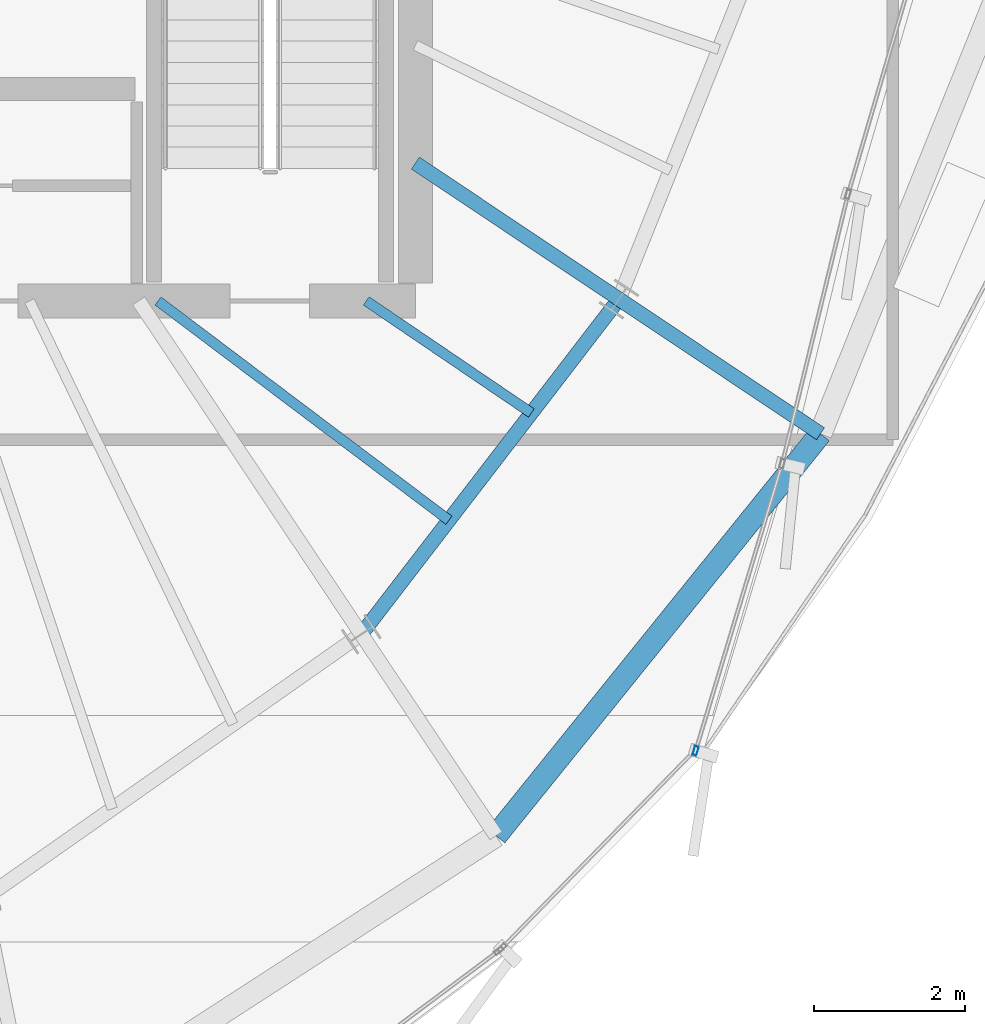
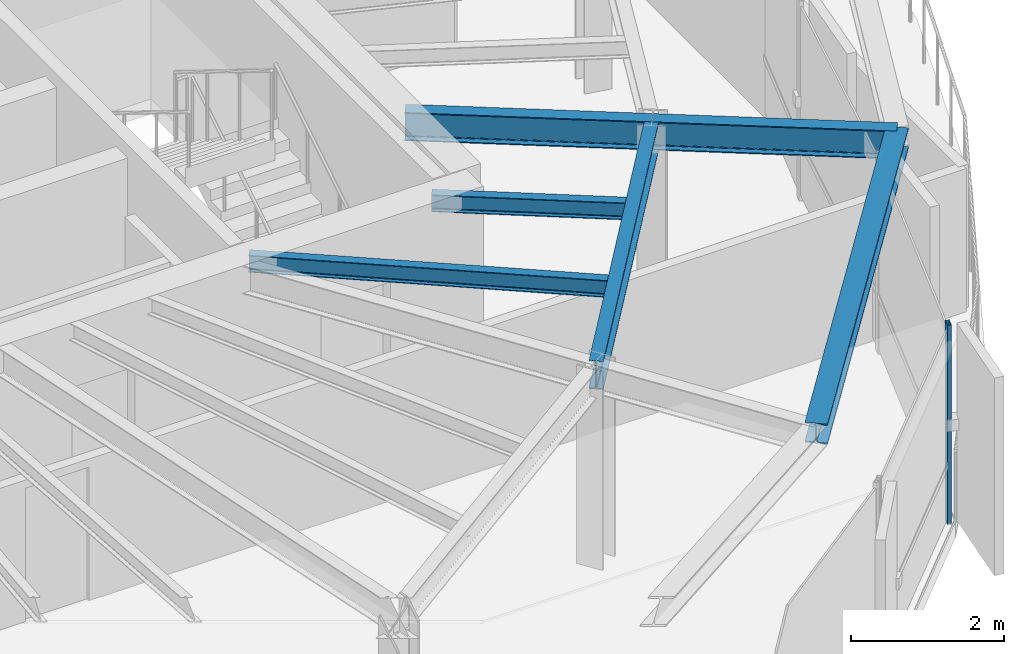
# One storey, part 9 of 31: 6 beams, 1 member, 1 element without a shape of its own.
"""IFC4 building model written with IfcOpenShell, lengths in metres."""

from ifc_helpers import new_model, si_unit, direction, frame, origin, origin_2d, place, context, subcontext, project, spatial, hollow_rectangle, i_section, extrude, source, transform, mapped, material, layer, layer_set, material_profile, profile_set, type_object, element, aggregate, save


model = new_model("IFC4")

# Units and contexts
model_context = context("Model", 3, precision=1e-05, world=origin(), true_north=direction((0.0, 1.0)))
body_context = subcontext(model_context, "Body", "Model", "MODEL_VIEW")
ifc_project = project(units=[si_unit("LENGTHUNIT", "METRE"), si_unit("AREAUNIT", "SQUARE_METRE"), si_unit("VOLUMEUNIT", "CUBIC_METRE"), si_unit("PLANEANGLEUNIT", "RADIAN"), si_unit("MASSUNIT", "GRAM", prefix="KILO"), si_unit("THERMODYNAMICTEMPERATUREUNIT", "KELVIN")], contexts=[model_context])

# Site, building, storey
site_placement = place(None, origin())
site = spatial("IfcSite", under=ifc_project, at=site_placement, CompositionType="ELEMENT")
building_placement = place(site_placement, origin())
building = spatial("IfcBuilding", under=site, at=building_placement, Name="Kethvar Cultural Tower", CompositionType="ELEMENT")
storey_placement = place(building_placement, frame((0.0, 0.0, 300.85009765625)))
storey = spatial("IfcBuildingStorey", under=building, at=storey_placement, Name="L80", CompositionType="ELEMENT", Elevation=300.85009765625)

# Beams
ifc_material_1 = material(Name="Steel S355J2", Category="steel")
ifc_material_profile_1 = material_profile(ifc_material_1, i_section(OverallWidth=0.18994140625, OverallDepth=0.449951171875, WebThickness=0.009521484375, FlangeThickness=0.0146484375, FilletRadius=0.02099609375, at=origin_2d()), Name="Steel S355J2 — IPE450")
ifc_profile_set_1 = profile_set([ifc_material_profile_1], Name="Steel S355J2 — IPE450")
beam_type_1 = type_object("IfcBeamType", Name="BM-IPE450", PredefinedType="BEAM", material=ifc_profile_set_1)
shared_shape_1 = source(origin(), body_context, "Body", "SweptSolid", [
    extrude(i_section(OverallWidth=0.18994140625, OverallDepth=0.449951171875, WebThickness=0.009521484375, FlangeThickness=0.0146484375, FilletRadius=0.02099609375, at=origin_2d()), origin(), (0.0, 0.0, 1.0), 3.199951171875),
])
beam_1_placement = place(storey_placement, frame((58.287109375, 20.12451171875, 2.9580078125), z_axis=(0.831462943996, -0.555580212716, 0.0), x_axis=(0.555580212716, 0.831462943996, 0.0)))
element("IfcBeam", 1, at=beam_1_placement, inside=storey, type_object=beam_type_1, Name="L80 Perimeter Cantilever Beam RC-15", PredefinedType="BEAM", context=body_context, shape_type="MappedRepresentation", body=[
    mapped(shared_shape_1, transform((0.0, 0.0, 0.0), scale=1.0)),
])
shared_shape_2 = source(origin(), body_context, "Body", "SweptSolid", [
    extrude(i_section(OverallWidth=0.18994140625, OverallDepth=0.449951171875, WebThickness=0.009521484375, FlangeThickness=0.0146484375, FilletRadius=0.02099609375, at=origin_2d()), origin(), (0.0, 0.0, 1.0), 3.231689453125),
])
beam_2_placement = place(storey_placement, frame((55.60009765625, 21.919921875, 2.9580078125), z_axis=(0.831468708055, -0.55557158632, 0.0), x_axis=(0.55557158632, 0.831468708055, 0.0)))
element("IfcBeam", 2, at=beam_2_placement, inside=storey, type_object=beam_type_1, Name="L80 Primary Radial Beam RB-15", PredefinedType="BEAM", context=body_context, shape_type="MappedRepresentation", body=[
    mapped(shared_shape_2, transform((0.0, 0.0, 0.0), scale=1.0)),
])
shared_shape_3 = source(origin(), body_context, "Body", "SweptSolid", [
    extrude(i_section(OverallWidth=0.18994140625, OverallDepth=0.449951171875, WebThickness=0.009521484375, FlangeThickness=0.0146484375, FilletRadius=0.02099609375, at=origin_2d()), origin(), (0.0, 0.0, 1.0), 5.5810546875),
])
beam_3_placement = place(storey_placement, frame((54.885009765625, 15.7001953125, 2.9580078125), z_axis=(0.60957334008, 0.79272967843, 0.0), x_axis=(-0.79272967843, 0.60957334008, 0.0)))
element("IfcBeam", 3, at=beam_3_placement, inside=storey, type_object=beam_type_1, Name="L80 Column Ring Tie Beam CR-14", PredefinedType="BEAM", context=body_context, shape_type="MappedRepresentation", body=[
    mapped(shared_shape_3, transform((0.0, 0.0, 0.0), scale=1.0)),
])
ifc_material_profile_2 = material_profile(ifc_material_1, i_section(OverallWidth=0.300048828125, OverallDepth=0.320068359375, WebThickness=0.011474609375, FlangeThickness=0.0205078125, FilletRadius=0.027099609375, at=origin_2d()), Name="Steel S355J2 — HEB320")
ifc_profile_set_2 = profile_set([ifc_material_profile_2], Name="Steel S355J2 — HEB320")
beam_type_2 = type_object("IfcBeamType", Name="BM-SP320", PredefinedType="SPANDREL", material=ifc_profile_set_2)
shared_shape_4 = source(origin(), body_context, "Body", "SweptSolid", [
    extrude(i_section(OverallWidth=0.300048828125, OverallDepth=0.320068359375, WebThickness=0.011474609375, FlangeThickness=0.0205078125, FilletRadius=0.027099609375, at=origin_2d()), origin(), (0.0, 0.0, 1.0), 6.8212890625),
])
beam_4_placement = place(storey_placement, frame((56.66259765625, 13.039306640625, 3.02294921875), z_axis=(0.628197971595, 0.778053538315, 0.0), x_axis=(-0.778053538315, 0.628197971595, 0.0)))
element("IfcBeam", 4, at=beam_4_placement, inside=storey, type_object=beam_type_2, Name="L80 Perimeter Spandrel Beam SP-14", PredefinedType="SPANDREL", context=body_context, shape_type="MappedRepresentation", body=[
    mapped(shared_shape_4, transform((0.0, 0.0, 0.0), scale=1.0)),
])
ifc_material_profile_3 = material_profile(ifc_material_1, i_section(OverallWidth=0.135009765625, OverallDepth=0.27001953125, WebThickness=0.006591796875, FlangeThickness=0.01025390625, FilletRadius=0.014892578125, at=origin_2d()), Name="Steel S355J2 — IPE270")
ifc_profile_set_3 = profile_set([ifc_material_profile_3], Name="Steel S355J2 — IPE270")
beam_type_3 = type_object("IfcBeamType", Name="BM-J270", PredefinedType="JOIST", material=ifc_profile_set_3)
shared_shape_5 = source(origin(), body_context, "Body", "SweptSolid", [
    extrude(i_section(OverallWidth=0.135009765625, OverallDepth=0.27001953125, WebThickness=0.006591796875, FlangeThickness=0.01025390625, FilletRadius=0.014892578125, at=origin_2d()), origin(), (0.0, 0.0, 1.0), 4.810791015625),
])
beam_5_placement = place(storey_placement, frame((52.199951171875, 20.10009765625, 3.0478515625), z_axis=(0.798542152732, -0.601938892505, 0.0), x_axis=(0.601938892505, 0.798542152732, 0.0)))
element("IfcBeam", 5, at=beam_5_placement, inside=storey, type_object=beam_type_3, Name="L80 Composite Floor Joist J-14A", PredefinedType="JOIST", context=body_context, shape_type="MappedRepresentation", body=[
    mapped(shared_shape_5, transform((0.0, 0.0, 0.0), scale=1.0)),
])
shared_shape_6 = source(origin(), body_context, "Body", "SweptSolid", [
    extrude(i_section(OverallWidth=0.135009765625, OverallDepth=0.27001953125, WebThickness=0.006591796875, FlangeThickness=0.01025390625, FilletRadius=0.014892578125, at=origin_2d()), origin(), (0.0, 0.0, 1.0), 2.635009765625),
])
beam_6_placement = place(storey_placement, frame((54.949951171875, 20.10009765625, 3.0478515625), z_axis=(0.827446562598, -0.561544464887, 0.0), x_axis=(0.561544464887, 0.827446562598, 0.0)))
element("IfcBeam", 6, at=beam_6_placement, inside=storey, type_object=beam_type_3, Name="L80 Composite Floor Joist J-14B", PredefinedType="JOIST", context=body_context, shape_type="MappedRepresentation", body=[
    mapped(shared_shape_6, transform((0.0, 0.0, 0.0), scale=1.0)),
])

# Curtain wall, member
ifc_material_2 = material(Name="Aluminium 6063-T6", Category="aluminium")
ifc_layer = layer(ifc_material_2, 0.179931640625, Name="Aluminium 6063-T6", Category="aluminium")
ifc_layer_set = layer_set([ifc_layer], Name="Aluminium 6063-T6 (180 mm)")
curtain_wall_type = type_object("IfcCurtainWallType", Name="CW-SYS-05-Z56", PredefinedType="NOTDEFINED", material=ifc_layer_set)
curtain_wall_placement = place(storey_placement, origin())
curtain_wall = element("IfcCurtainWall", 7, at=curtain_wall_placement, inside=storey, type_object=curtain_wall_type, Name="L80 Curtain Wall Run 05", PredefinedType="NOTDEFINED")
ifc_material_profile_4 = material_profile(ifc_material_2, hollow_rectangle(XDim=0.054931640625, YDim=0.1201171875, WallThickness=0.00390625, at=origin_2d()), Name="Aluminium 6063-T6 — RHS120x55x4")
ifc_profile_set_4 = profile_set([ifc_material_profile_4], Name="Aluminium 6063-T6 — RHS120x55x4")
member_type = type_object("IfcMemberType", Name="CW-SYS-05-Z56-MUL", PredefinedType="MULLION", material=ifc_profile_set_4)
shared_shape_7 = source(origin(), body_context, "Body", "SweptSolid", [
    extrude(hollow_rectangle(XDim=0.054931640625, YDim=0.1201171875, WallThickness=0.00390625, at=origin_2d()), origin(), (0.0, 0.0, 1.0), 3.184814453125),
])
member_placement = place(storey_placement, frame((59.299560546875, 14.16015625, 0.0), z_axis=(0.0, 0.0, 1.0), x_axis=(-0.95744552031, 0.288614060013, 0.0)))
member = element("IfcMember", 8, at=member_placement, type_object=member_type, Name="CW-L80-R05 Mullion 2", PredefinedType="MULLION", context=body_context, shape_type="MappedRepresentation", body=[
    mapped(shared_shape_7, transform((0.0, 0.0, 0.0), scale=1.0)),
])
aggregate(curtain_wall, [member])

save(model, "model.ifc")
